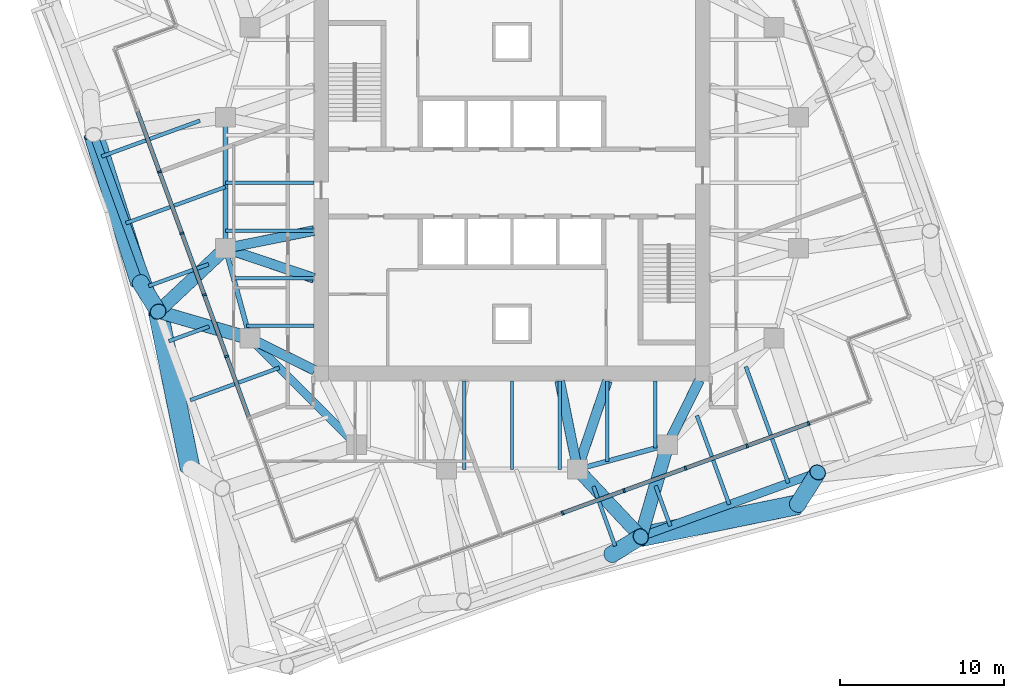
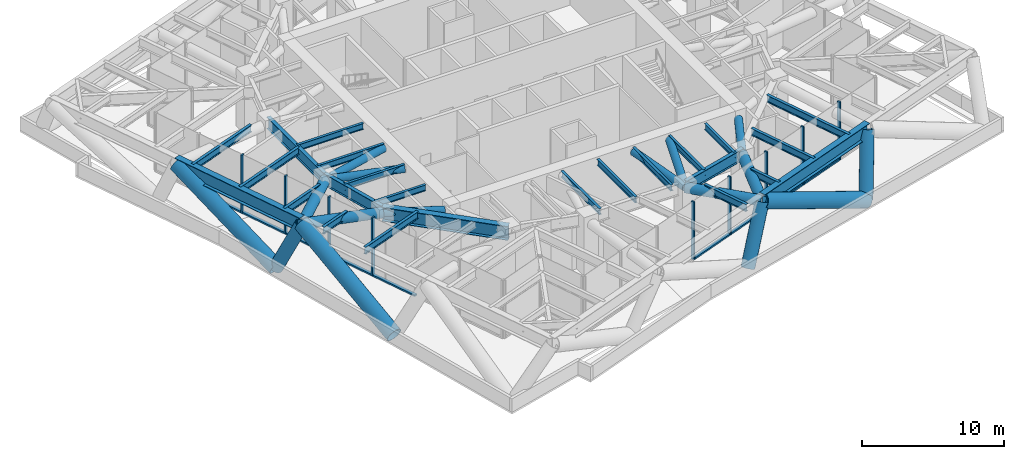
# One storey, part 2 of 12: 34 members, 24 beams, 2 elements without a shape of their own.
"""IFC4 building model written with IfcOpenShell, lengths in metres."""

from ifc_helpers import new_model, si_unit, direction, frame, origin, origin_2d, place, context, subcontext, project, spatial, rectangle, hollow_circle, i_section, extrude, material, material_profile, profile_set, type_object, element, aggregate, save


model = new_model("IFC4")

# Units and contexts
model_context = context("Model", 3, precision=1e-05, world=origin(), true_north=direction((0.0, 1.0)))
body_context = subcontext(model_context, "Body", "Model", "MODEL_VIEW")
ifc_project = project(units=[si_unit("LENGTHUNIT", "METRE"), si_unit("AREAUNIT", "SQUARE_METRE"), si_unit("VOLUMEUNIT", "CUBIC_METRE"), si_unit("PLANEANGLEUNIT", "RADIAN"), si_unit("MASSUNIT", "GRAM", prefix="KILO")], contexts=[model_context])

# Site, building, storey
site_placement = place(None, origin())
site = spatial("IfcSite", under=ifc_project, at=site_placement, CompositionType="ELEMENT")
building_placement = place(site_placement, origin())
building = spatial("IfcBuilding", under=site, at=building_placement, Name="Torsade Residences", CompositionType="ELEMENT")
storey_placement = place(building_placement, frame((0.0, 0.0, 138.800048828125)))
storey = spatial("IfcBuildingStorey", under=building, at=storey_placement, Name="L38", CompositionType="ELEMENT", Elevation=138.800048828125)

# Beams
ifc_material_1 = material(Name="Steel grade 300", Category="steel")
ifc_material_profile_1 = material_profile(ifc_material_1, i_section(OverallWidth=0.208984375, OverallDepth=0.528076171875, WebThickness=0.009521484375, FlangeThickness=0.01318359375, FilletRadius=0.013916015625, at=origin_2d()), Name="530UB82.0")
ifc_profile_set_1 = profile_set([ifc_material_profile_1], Name="Steel grade 300")
beam_type_1 = type_object("IfcBeamType", Name="INNER FLOOR BEAM 530UB82.0", PredefinedType="JOIST", material=ifc_profile_set_1)
beam_1_placement = place(storey_placement, frame((48.737548828125, 17.89990234375, 4.5859375), z_axis=(0.0, -1.0, 0.0), x_axis=(1.0, 0.0, 0.0)))
element("IfcBeam", 1, at=beam_1_placement, inside=storey, type_object=beam_type_1, Name="Inner floor beam IS01 L39", PredefinedType="JOIST", context=body_context, shape_type="SweptSolid", body=[
    extrude(i_section(OverallWidth=0.208984375, OverallDepth=0.528076171875, WebThickness=0.009521484375, FlangeThickness=0.01318359375, FilletRadius=0.013916015625, at=origin_2d()), origin(), (0.0, 0.0, 1.0), 4.10791015625),
])
beam_2_placement = place(storey_placement, frame((45.824951171875, 17.89990234375, 4.5859375), z_axis=(0.0, -1.0, 0.0), x_axis=(1.0, 0.0, 0.0)))
element("IfcBeam", 2, at=beam_2_placement, inside=storey, type_object=beam_type_1, Name="Inner floor beam IS02 L39", PredefinedType="JOIST", context=body_context, shape_type="SweptSolid", body=[
    extrude(i_section(OverallWidth=0.208984375, OverallDepth=0.528076171875, WebThickness=0.009521484375, FlangeThickness=0.01318359375, FilletRadius=0.013916015625, at=origin_2d()), origin(), (0.0, 0.0, 1.0), 4.902099609375),
])
for number, where, z_axis, x_axis, name in (
    (3, (42.91259765625, 17.89990234375, 4.5859375), (0.0, -1.0, 0.0), (1.0, 0.0, 0.0), "Inner floor beam IS03 L39"),
    (4, (40.0, 17.89990234375, 4.5859375), (0.0, -1.0, 0.0), (1.0, 0.0, 0.0), "Inner floor beam IS04 L39"),
    (5, (37.08740234375, 17.89990234375, 4.5859375), (0.0, -1.0, 0.0), (1.0, 0.0, 0.0), "Inner floor beam IS05 L39"),
    (6, (27.89990234375, 30.0, 4.5859375), (-1.0, 0.0, 0.0), (0.0, -1.0, 0.0), "Inner floor beam IW04 L39"),
    (7, (27.89990234375, 27.08740234375, 4.5859375), (-1.0, 0.0, 0.0), (0.0, -1.0, 0.0), "Inner floor beam IW05 L39"),
):
    element("IfcBeam", number, at=place(storey_placement, frame(where, z_axis=z_axis, x_axis=x_axis)), inside=storey, type_object=beam_type_1, Name=name, PredefinedType="JOIST", context=body_context, shape_type="SweptSolid", body=[
        extrude(i_section(OverallWidth=0.208984375, OverallDepth=0.528076171875, WebThickness=0.009521484375, FlangeThickness=0.01318359375, FilletRadius=0.013916015625, at=origin_2d()), origin(), (0.0, 0.0, 1.0), 5.39990234375),
    ])
beam_3_placement = place(storey_placement, frame((27.89990234375, 24.175048828125, 4.5859375), z_axis=(-1.0, 0.0, 0.0), x_axis=(0.0, -1.0, 0.0)))
element("IfcBeam", 8, at=beam_3_placement, inside=storey, type_object=beam_type_1, Name="Inner floor beam IW06 L39", PredefinedType="JOIST", context=body_context, shape_type="SweptSolid", body=[
    extrude(i_section(OverallWidth=0.208984375, OverallDepth=0.528076171875, WebThickness=0.009521484375, FlangeThickness=0.01318359375, FilletRadius=0.013916015625, at=origin_2d()), origin(), (0.0, 0.0, 1.0), 4.902099609375),
])
beam_4_placement = place(storey_placement, frame((27.89990234375, 21.262451171875, 4.5859375), z_axis=(-1.0, 0.0, 0.0), x_axis=(0.0, -1.0, 0.0)))
element("IfcBeam", 9, at=beam_4_placement, inside=storey, type_object=beam_type_1, Name="Inner floor beam IW07 L39", PredefinedType="JOIST", context=body_context, shape_type="SweptSolid", body=[
    extrude(i_section(OverallWidth=0.208984375, OverallDepth=0.528076171875, WebThickness=0.009521484375, FlangeThickness=0.01318359375, FilletRadius=0.013916015625, at=origin_2d()), origin(), (0.0, 0.0, 1.0), 4.10791015625),
])
ifc_material_2 = material(Name="Steel grade 300", Category="steel")
ifc_material_profile_2 = material_profile(ifc_material_2, i_section(OverallWidth=0.5, OverallDepth=1.199951171875, WebThickness=0.01611328125, FlangeThickness=0.0400390625, at=origin_2d()), Name="1200WB455")
ifc_profile_set_2 = profile_set([ifc_material_profile_2], Name="Steel grade 300")
beam_type_2 = type_object("IfcBeamType", Name="RING CORNER GIRDER 1200WB455", PredefinedType="BEAM", material=ifc_profile_set_2)
beam_5_placement = place(storey_placement, frame((24.0, 20.5, 4.25), z_axis=(0.707106781187, -0.707106781187, 0.0), x_axis=(0.707106781187, 0.707106781187, 0.0)))
element("IfcBeam", 10, at=beam_5_placement, inside=storey, type_object=beam_type_2, Name="Ring girder IR11 L39", PredefinedType="BEAM", context=body_context, shape_type="SweptSolid", body=[
    extrude(i_section(OverallWidth=0.5, OverallDepth=1.199951171875, WebThickness=0.01611328125, FlangeThickness=0.0400390625, at=origin_2d()), origin(), (0.0, 0.0, 1.0), 9.1923828125),
])
ifc_material_3 = material(Name="Steel grade 300", Category="steel")
ifc_material_profile_3 = material_profile(ifc_material_3, i_section(OverallWidth=0.300048828125, OverallDepth=1.0, WebThickness=0.01611328125, FlangeThickness=0.028076171875, at=origin_2d()), Name="1000WB215")
ifc_profile_set_3 = profile_set([ifc_material_profile_3], Name="Steel grade 300")
beam_type_3 = type_object("IfcBeamType", Name="RING GIRDER 1000WB215", PredefinedType="BEAM", material=ifc_profile_set_3)
beam_6_placement = place(storey_placement, frame((22.5, 34.0, 4.349853515625), z_axis=(0.0, -1.0, 0.0), x_axis=(1.0, 0.0, 0.0)))
element("IfcBeam", 11, at=beam_6_placement, inside=storey, type_object=beam_type_3, Name="Ring girder IR09 L39", PredefinedType="BEAM", context=body_context, shape_type="SweptSolid", body=[
    extrude(i_section(OverallWidth=0.300048828125, OverallDepth=1.0, WebThickness=0.01611328125, FlangeThickness=0.028076171875, at=origin_2d()), origin(), (0.0, 0.0, 1.0), 8.0),
])
for number, where, z_axis, x_axis, name in (
    (12, (22.5, 26.0, 4.349853515625), (0.263117405792, -0.964763821238, 0.0), (0.964763821238, 0.263117405792, 0.0), "Ring girder IR10 L39"),
    (13, (44.0, 12.5, 4.349853515625), (0.964763821238, 0.263117405792, 0.0), (-0.263117405792, 0.964763821238, 0.0), "Ring girder IR14 L39"),
):
    element("IfcBeam", number, at=place(storey_placement, frame(where, z_axis=z_axis, x_axis=x_axis)), inside=storey, type_object=beam_type_3, Name=name, PredefinedType="BEAM", context=body_context, shape_type="SweptSolid", body=[
        extrude(i_section(OverallWidth=0.300048828125, OverallDepth=1.0, WebThickness=0.01611328125, FlangeThickness=0.028076171875, at=origin_2d()), origin(), (0.0, 0.0, 1.0), 5.700927734375),
    ])
ifc_material_4 = material(Name="Steel grade 300", Category="steel")
ifc_material_profile_4 = material_profile(ifc_material_4, i_section(OverallWidth=0.22900390625, OverallDepth=0.612060546875, WebThickness=0.011962890625, FlangeThickness=0.01953125, FilletRadius=0.013916015625, at=origin_2d()), Name="610UB125")
ifc_profile_set_4 = profile_set([ifc_material_profile_4], Name="Steel grade 300")
beam_type_4 = type_object("IfcBeamType", Name="SECONDARY BEAM 610UB125", PredefinedType="JOIST", material=ifc_profile_set_4)
beam_7_placement = place(storey_placement, frame((46.30029296875, 7.817138671875, 4.5439453125), z_axis=(-0.341990430397, 0.939703434875, 0.0), x_axis=(-0.939703434875, -0.341990430397, 0.0)))
element("IfcBeam", 14, at=beam_7_placement, inside=storey, type_object=beam_type_4, Name="Floor beam FS06 L39", PredefinedType="JOIST", context=body_context, shape_type="SweptSolid", body=[
    extrude(i_section(OverallWidth=0.22900390625, OverallDepth=0.612060546875, WebThickness=0.011962890625, FlangeThickness=0.01953125, FilletRadius=0.013916015625, at=origin_2d()), origin(), (0.0, 0.0, 1.0), 3.8828125),
])
beam_8_placement = place(storey_placement, frame((49.66748046875, 9.042724609375, 4.5439453125), z_axis=(-0.342035282523, 0.93968711043, 0.0), x_axis=(-0.93968711043, -0.342035282523, 0.0)))
element("IfcBeam", 15, at=beam_8_placement, inside=storey, type_object=beam_type_4, Name="Floor beam FS07 L39", PredefinedType="JOIST", context=body_context, shape_type="SweptSolid", body=[
    extrude(i_section(OverallWidth=0.22900390625, OverallDepth=0.612060546875, WebThickness=0.011962890625, FlangeThickness=0.01953125, FilletRadius=0.013916015625, at=origin_2d()), origin(), (0.0, 0.0, 1.0), 2.615966796875),
])
beam_9_placement = place(storey_placement, frame((53.269775390625, 10.353759765625, 4.5439453125), z_axis=(-0.342034409239, 0.939687428295, 0.0), x_axis=(-0.939687428295, -0.342034409239, 0.0)))
element("IfcBeam", 16, at=beam_9_placement, inside=storey, type_object=beam_type_4, Name="Floor beam FS08 L39", PredefinedType="JOIST", context=body_context, shape_type="SweptSolid", body=[
    extrude(i_section(OverallWidth=0.22900390625, OverallDepth=0.612060546875, WebThickness=0.011962890625, FlangeThickness=0.01953125, FilletRadius=0.013916015625, at=origin_2d()), origin(), (0.0, 0.0, 1.0), 5.785888671875),
])
beam_10_placement = place(storey_placement, frame((56.871826171875, 11.664794921875, 4.5439453125), z_axis=(-0.342027762686, 0.939689847531, 0.0), x_axis=(-0.939689847531, -0.342027762686, 0.0)))
element("IfcBeam", 17, at=beam_10_placement, inside=storey, type_object=beam_type_4, Name="Floor beam FS09 L39", PredefinedType="JOIST", context=body_context, shape_type="SweptSolid", body=[
    extrude(i_section(OverallWidth=0.22900390625, OverallDepth=0.612060546875, WebThickness=0.011962890625, FlangeThickness=0.01953125, FilletRadius=0.013916015625, at=origin_2d()), origin(), (0.0, 0.0, 1.0), 7.573486328125),
])
beam_11_placement = place(storey_placement, frame((14.9384765625, 31.60888671875, 4.5439453125), z_axis=(0.939698605846, 0.342003699059, 0.0), x_axis=(-0.342003699059, 0.939698605846, 0.0)))
element("IfcBeam", 18, at=beam_11_placement, inside=storey, type_object=beam_type_4, Name="Floor beam FW04 L39", PredefinedType="JOIST", context=body_context, shape_type="SweptSolid", body=[
    extrude(i_section(OverallWidth=0.22900390625, OverallDepth=0.612060546875, WebThickness=0.011962890625, FlangeThickness=0.01953125, FilletRadius=0.013916015625, at=origin_2d()), origin(), (0.0, 0.0, 1.0), 6.392578125),
])
beam_12_placement = place(storey_placement, frame((16.42041015625, 27.536865234375, 4.5439453125), z_axis=(0.939699737026, 0.342000590983, 0.0), x_axis=(-0.342000590983, 0.939699737026, 0.0)))
element("IfcBeam", 19, at=beam_12_placement, inside=storey, type_object=beam_type_4, Name="Floor beam FW05 L39", PredefinedType="JOIST", context=body_context, shape_type="SweptSolid", body=[
    extrude(i_section(OverallWidth=0.22900390625, OverallDepth=0.612060546875, WebThickness=0.011962890625, FlangeThickness=0.01953125, FilletRadius=0.013916015625, at=origin_2d()), origin(), (0.0, 0.0, 1.0), 6.4697265625),
])
beam_13_placement = place(storey_placement, frame((17.817138671875, 23.69970703125, 4.5439453125), z_axis=(0.939703434875, 0.341990430397, 0.0), x_axis=(-0.341990430397, 0.939703434875, 0.0)))
element("IfcBeam", 20, at=beam_13_placement, inside=storey, type_object=beam_type_4, Name="Floor beam FW06 L39", PredefinedType="JOIST", context=body_context, shape_type="SweptSolid", body=[
    extrude(i_section(OverallWidth=0.22900390625, OverallDepth=0.612060546875, WebThickness=0.011962890625, FlangeThickness=0.01953125, FilletRadius=0.013916015625, at=origin_2d()), origin(), (0.0, 0.0, 1.0), 3.8828125),
])
beam_14_placement = place(storey_placement, frame((19.042724609375, 20.33251953125, 4.5439453125), z_axis=(0.93968711043, 0.342035282523, 0.0), x_axis=(-0.342035282523, 0.93968711043, 0.0)))
element("IfcBeam", 21, at=beam_14_placement, inside=storey, type_object=beam_type_4, Name="Floor beam FW07 L39", PredefinedType="JOIST", context=body_context, shape_type="SweptSolid", body=[
    extrude(i_section(OverallWidth=0.22900390625, OverallDepth=0.612060546875, WebThickness=0.011962890625, FlangeThickness=0.01953125, FilletRadius=0.013916015625, at=origin_2d()), origin(), (0.0, 0.0, 1.0), 2.615966796875),
])
beam_15_placement = place(storey_placement, frame((20.353759765625, 16.730224609375, 4.5439453125), z_axis=(0.939687428295, 0.342034409239, 0.0), x_axis=(-0.342034409239, 0.939687428295, 0.0)))
element("IfcBeam", 22, at=beam_15_placement, inside=storey, type_object=beam_type_4, Name="Floor beam FW08 L39", PredefinedType="JOIST", context=body_context, shape_type="SweptSolid", body=[
    extrude(i_section(OverallWidth=0.22900390625, OverallDepth=0.612060546875, WebThickness=0.011962890625, FlangeThickness=0.01953125, FilletRadius=0.013916015625, at=origin_2d()), origin(), (0.0, 0.0, 1.0), 5.785888671875),
])

# Curtain wall, members
ifc_material_5 = material(Name="Aluminium and glass", Category="aluminium")
curtain_wall_type = type_object("IfcCurtainWallType", Name="SKY LOUNGE CURTAIN WALL", PredefinedType="NOTDEFINED", material=ifc_material_5)
curtain_wall_1_placement = place(storey_placement, origin())
curtain_wall_1 = element("IfcCurtainWall", 23, at=curtain_wall_1_placement, inside=storey, type_object=curtain_wall_type, Name="Curtain wall L38 face 1", PredefinedType="NOTDEFINED")
ifc_material_6 = material(Name="Aluminium mullion", Category="aluminium")
ifc_material_profile_5 = material_profile(ifc_material_6, rectangle(XDim=0.25, YDim=0.1201171875, at=origin_2d()), Name="SKY LOUNGE CURTAIN WALL MULLION 250x120")
ifc_profile_set_5 = profile_set([ifc_material_profile_5], Name="Aluminium mullion")
member_type_1 = type_object("IfcMemberType", Name="SKY LOUNGE CURTAIN WALL MULLION 250x120", PredefinedType="MULLION", material=ifc_profile_set_5)
member_1_placement = place(storey_placement, frame((43.08154296875, 9.838134765625, 0.0), z_axis=(0.0, 0.0, 1.0), x_axis=(-0.342020153379, 0.939692617127, 0.0)))
member_1 = element("IfcMember", 24, at=member_1_placement, type_object=member_type_1, Name="Mullion 4", PredefinedType="MULLION", context=body_context, shape_type="SweptSolid", body=[
    extrude(rectangle(XDim=0.25, YDim=0.1201171875, at=origin_2d()), origin(), (0.0, 0.0, 1.0), 5.0),
])
member_2_placement = place(storey_placement, frame((46.84033203125, 11.2060546875, 0.0), z_axis=(0.0, 0.0, 1.0), x_axis=(-0.342020153379, 0.939692617127, 0.0)))
member_2 = element("IfcMember", 25, at=member_2_placement, type_object=member_type_1, Name="Mullion 5", PredefinedType="MULLION", context=body_context, shape_type="SweptSolid", body=[
    extrude(rectangle(XDim=0.25, YDim=0.1201171875, at=origin_2d()), origin(), (0.0, 0.0, 1.0), 5.0),
])
member_3_placement = place(storey_placement, frame((50.59912109375, 12.57421875, 0.0), z_axis=(0.0, 0.0, 1.0), x_axis=(-0.342020153379, 0.939692617127, 0.0)))
member_3 = element("IfcMember", 26, at=member_3_placement, type_object=member_type_1, Name="Mullion 6", PredefinedType="MULLION", context=body_context, shape_type="SweptSolid", body=[
    extrude(rectangle(XDim=0.25, YDim=0.1201171875, at=origin_2d()), origin(), (0.0, 0.0, 1.0), 5.0),
])
member_4_placement = place(storey_placement, frame((54.35791015625, 13.9423828125, 0.0), z_axis=(0.0, 0.0, 1.0), x_axis=(-0.342020153379, 0.939692617127, 0.0)))
member_4 = element("IfcMember", 27, at=member_4_placement, type_object=member_type_1, Name="Mullion 7", PredefinedType="MULLION", context=body_context, shape_type="SweptSolid", body=[
    extrude(rectangle(XDim=0.25, YDim=0.1201171875, at=origin_2d()), origin(), (0.0, 0.0, 1.0), 5.0),
])
member_5_placement = place(storey_placement, frame((58.11669921875, 15.310302734375, 0.0), z_axis=(0.0, 0.0, 1.0), x_axis=(-0.342020153379, 0.939692617127, 0.0)))
member_5 = element("IfcMember", 28, at=member_5_placement, type_object=member_type_1, Name="Mullion 8", PredefinedType="MULLION", context=body_context, shape_type="SweptSolid", body=[
    extrude(rectangle(XDim=0.25, YDim=0.1201171875, at=origin_2d()), origin(), (0.0, 0.0, 1.0), 5.0),
])

curtain_wall_2_placement = place(storey_placement, origin())
curtain_wall_2 = element("IfcCurtainWall", 29, at=curtain_wall_2_placement, inside=storey, type_object=curtain_wall_type, Name="Curtain wall L38 face 10", PredefinedType="NOTDEFINED")
member_6_placement = place(storey_placement, frame((18.469970703125, 30.67724609375, 0.0), z_axis=(0.0, 0.0, 1.0), x_axis=(0.939692617127, 0.342020153379, 0.0)))
member_6 = element("IfcMember", 30, at=member_6_placement, type_object=member_type_1, Name="Mullion 3", PredefinedType="MULLION", context=body_context, shape_type="SweptSolid", body=[
    extrude(rectangle(XDim=0.25, YDim=0.1201171875, at=origin_2d()), origin(), (0.0, 0.0, 1.0), 5.0),
])
member_7_placement = place(storey_placement, frame((19.838134765625, 26.91845703125, 0.0), z_axis=(0.0, 0.0, 1.0), x_axis=(0.939692617127, 0.342020153379, 0.0)))
member_7 = element("IfcMember", 31, at=member_7_placement, type_object=member_type_1, Name="Mullion 4", PredefinedType="MULLION", context=body_context, shape_type="SweptSolid", body=[
    extrude(rectangle(XDim=0.25, YDim=0.1201171875, at=origin_2d()), origin(), (0.0, 0.0, 1.0), 5.0),
])
member_8_placement = place(storey_placement, frame((21.2060546875, 23.15966796875, 0.0), z_axis=(0.0, 0.0, 1.0), x_axis=(0.939692617127, 0.342020153379, 0.0)))
member_8 = element("IfcMember", 32, at=member_8_placement, type_object=member_type_1, Name="Mullion 5", PredefinedType="MULLION", context=body_context, shape_type="SweptSolid", body=[
    extrude(rectangle(XDim=0.25, YDim=0.1201171875, at=origin_2d()), origin(), (0.0, 0.0, 1.0), 5.0),
])
member_9_placement = place(storey_placement, frame((22.57421875, 19.40087890625, 0.0), z_axis=(0.0, 0.0, 1.0), x_axis=(0.939692617127, 0.342020153379, 0.0)))
member_9 = element("IfcMember", 33, at=member_9_placement, type_object=member_type_1, Name="Mullion 6", PredefinedType="MULLION", context=body_context, shape_type="SweptSolid", body=[
    extrude(rectangle(XDim=0.25, YDim=0.1201171875, at=origin_2d()), origin(), (0.0, 0.0, 1.0), 5.0),
])

# Member
ifc_material_7 = material(Name="Aluminium transom", Category="aluminium")
ifc_material_profile_6 = material_profile(ifc_material_7, rectangle(XDim=0.25, YDim=0.1298828125, at=origin_2d()), Name="SKY LOUNGE CURTAIN WALL TRANSOM 250x130")
ifc_profile_set_6 = profile_set([ifc_material_profile_6], Name="Aluminium transom")
member_type_2 = type_object("IfcMemberType", Name="SKY LOUNGE CURTAIN WALL TRANSOM 250x130", PredefinedType="USERDEFINED", material=ifc_profile_set_6)
member_10_placement = place(storey_placement, frame((43.137939453125, 9.858642578125, 0.06494140625), z_axis=(0.939703368574, 0.341990612575, 0.0), x_axis=(-0.341990612575, 0.939703368574, 0.0)))
member_10 = element("IfcMember", 34, at=member_10_placement, type_object=member_type_2, Name="Transom 4.1", ObjectType="TRANSOM", PredefinedType="USERDEFINED", context=body_context, shape_type="SweptSolid", body=[
    extrude(rectangle(XDim=0.25, YDim=0.1298828125, at=origin_2d()), origin(), (0.0, 0.0, 1.0), 3.8798828125),
])

member_11_placement = place(storey_placement, frame((46.896728515625, 11.2265625, 0.06494140625), z_axis=(0.939683145577, 0.342046175128, 0.0), x_axis=(-0.342046175128, 0.939683145577, 0.0)))
member_11 = element("IfcMember", 35, at=member_11_placement, type_object=member_type_2, Name="Transom 5.1", ObjectType="TRANSOM", PredefinedType="USERDEFINED", context=body_context, shape_type="SweptSolid", body=[
    extrude(rectangle(XDim=0.25, YDim=0.1298828125, at=origin_2d()), origin(), (0.0, 0.0, 1.0), 3.880126953125),
])

member_12_placement = place(storey_placement, frame((50.655517578125, 12.5947265625, 0.06494140625), z_axis=(0.939683145577, 0.342046175128, 0.0), x_axis=(-0.342046175128, 0.939683145577, 0.0)))
member_12 = element("IfcMember", 36, at=member_12_placement, type_object=member_type_2, Name="Transom 6.1", ObjectType="TRANSOM", PredefinedType="USERDEFINED", context=body_context, shape_type="SweptSolid", body=[
    extrude(rectangle(XDim=0.25, YDim=0.1298828125, at=origin_2d()), origin(), (0.0, 0.0, 1.0), 3.880126953125),
])

member_13_placement = place(storey_placement, frame((54.414306640625, 13.962890625, 0.06494140625), z_axis=(0.939703368574, 0.341990612575, 0.0), x_axis=(-0.341990612575, 0.939703368574, 0.0)))
member_13 = element("IfcMember", 37, at=member_13_placement, type_object=member_type_2, Name="Transom 7.1", ObjectType="TRANSOM", PredefinedType="USERDEFINED", context=body_context, shape_type="SweptSolid", body=[
    extrude(rectangle(XDim=0.25, YDim=0.1298828125, at=origin_2d()), origin(), (0.0, 0.0, 1.0), 3.8798828125),
])

aggregate(curtain_wall_1, [member_1, member_2, member_3, member_4, member_5, member_10, member_11, member_12, member_13])

member_14_placement = place(storey_placement, frame((17.122314453125, 34.379638671875, 0.06494140625), z_axis=(0.342025952039, -0.939690506567, 0.0), x_axis=(0.939690506567, 0.342025952039, 0.0)))
member_14 = element("IfcMember", 38, at=member_14_placement, type_object=member_type_2, Name="Transom 2.1", ObjectType="TRANSOM", PredefinedType="USERDEFINED", context=body_context, shape_type="SweptSolid", body=[
    extrude(rectangle(XDim=0.25, YDim=0.1298828125, at=origin_2d()), origin(), (0.0, 0.0, 1.0), 3.88037109375),
])

member_15_placement = place(storey_placement, frame((18.490478515625, 30.620849609375, 0.06494140625), z_axis=(0.342046175128, -0.939683145577, 0.0), x_axis=(0.939683145577, 0.342046175128, 0.0)))
member_15 = element("IfcMember", 39, at=member_15_placement, type_object=member_type_2, Name="Transom 3.1", ObjectType="TRANSOM", PredefinedType="USERDEFINED", context=body_context, shape_type="SweptSolid", body=[
    extrude(rectangle(XDim=0.25, YDim=0.1298828125, at=origin_2d()), origin(), (0.0, 0.0, 1.0), 3.880126953125),
])

member_16_placement = place(storey_placement, frame((19.858642578125, 26.862060546875, 0.06494140625), z_axis=(0.341990612575, -0.939703368574, 0.0), x_axis=(0.939703368574, 0.341990612575, 0.0)))
member_16 = element("IfcMember", 40, at=member_16_placement, type_object=member_type_2, Name="Transom 4.1", ObjectType="TRANSOM", PredefinedType="USERDEFINED", context=body_context, shape_type="SweptSolid", body=[
    extrude(rectangle(XDim=0.25, YDim=0.1298828125, at=origin_2d()), origin(), (0.0, 0.0, 1.0), 3.8798828125),
])

member_17_placement = place(storey_placement, frame((21.2265625, 23.103271484375, 0.06494140625), z_axis=(0.342046175128, -0.939683145577, 0.0), x_axis=(0.939683145577, 0.342046175128, 0.0)))
member_17 = element("IfcMember", 41, at=member_17_placement, type_object=member_type_2, Name="Transom 5.1", ObjectType="TRANSOM", PredefinedType="USERDEFINED", context=body_context, shape_type="SweptSolid", body=[
    extrude(rectangle(XDim=0.25, YDim=0.1298828125, at=origin_2d()), origin(), (0.0, 0.0, 1.0), 3.880126953125),
])

member_18_placement = place(storey_placement, frame((22.5947265625, 19.344482421875, 0.06494140625), z_axis=(0.342046175128, -0.939683145577, 0.0), x_axis=(0.939683145577, 0.342046175128, 0.0)))
member_18 = element("IfcMember", 42, at=member_18_placement, type_object=member_type_2, Name="Transom 6.1", ObjectType="TRANSOM", PredefinedType="USERDEFINED", context=body_context, shape_type="SweptSolid", body=[
    extrude(rectangle(XDim=0.25, YDim=0.1298828125, at=origin_2d()), origin(), (0.0, 0.0, 1.0), 3.880126953125),
])

aggregate(curtain_wall_2, [member_6, member_7, member_8, member_9, member_14, member_15, member_16, member_17, member_18])

# Members
ifc_material_8 = material(Name="Steel grade 450", Category="steel")
ifc_material_profile_7 = material_profile(ifc_material_8, hollow_circle(Radius=0.304931640625, WallThickness=0.01611328125, at=origin_2d()), Name="610.0x16.0CHS")
ifc_profile_set_7 = profile_set([ifc_material_profile_7], Name="Steel grade 450")
member_type_3 = type_object("IfcMemberType", Name="TRANSFER FLOOR BRACE 610.0x16.0CHS", PredefinedType="BRACE", material=ifc_profile_set_7)
member_19_placement = place(storey_placement, frame((22.5, 26.0, 4.25), z_axis=(0.97976207845, 0.197299045909, 0.03375434957), x_axis=(-0.197411538983, 0.980320704809, 0.0)))
element("IfcMember", 43, at=member_19_placement, inside=storey, type_object=member_type_3, Name="Transfer floor brace TT4 top IR10IW05", PredefinedType="BRACE", context=body_context, shape_type="SweptSolid", body=[
    extrude(hollow_circle(Radius=0.304931640625, WallThickness=0.01611328125, at=origin_2d()), origin(), (0.0, 0.0, 1.0), 5.511474609375),
])
member_20_placement = place(storey_placement, frame((22.5, 26.0, 4.25), z_axis=(0.946855969774, -0.319999474368, 0.032620682203), x_axis=(0.320169867513, 0.947360151124, 0.0)))
element("IfcMember", 44, at=member_20_placement, inside=storey, type_object=member_type_3, Name="Transfer floor brace TT4 top IR10IW06", PredefinedType="BRACE", context=body_context, shape_type="SweptSolid", body=[
    extrude(hollow_circle(Radius=0.304931640625, WallThickness=0.01611328125, at=origin_2d()), origin(), (0.0, 0.0, 1.0), 5.702880859375),
])
member_21_placement = place(storey_placement, frame((24.0, 20.5, 4.25), z_axis=(0.896469701914, -0.443105036702, 0.0), x_axis=(0.443105036702, 0.896469701914, 0.0)))
element("IfcMember", 45, at=member_21_placement, inside=storey, type_object=member_type_3, Name="Transfer floor brace TT4 top IR11C", PredefinedType="BRACE", context=body_context, shape_type="SweptSolid", body=[
    extrude(hollow_circle(Radius=0.304931640625, WallThickness=0.01611328125, at=origin_2d()), origin(), (0.0, 0.0, 1.0), 4.40234375),
])
member_22_placement = place(storey_placement, frame((44.0, 12.5, 4.25), z_axis=(-0.197299045909, 0.97976207845, 0.03375434957), x_axis=(-0.980320704809, -0.197411538983, 0.0)))
element("IfcMember", 46, at=member_22_placement, inside=storey, type_object=member_type_3, Name="Transfer floor brace TT4 top IR14IS03", PredefinedType="BRACE", context=body_context, shape_type="SweptSolid", body=[
    extrude(hollow_circle(Radius=0.304931640625, WallThickness=0.01611328125, at=origin_2d()), origin(), (0.0, 0.0, 1.0), 5.511474609375),
])
member_23_placement = place(storey_placement, frame((44.0, 12.5, 4.25), z_axis=(0.319999474368, 0.946855969774, 0.032620682203), x_axis=(-0.947360151124, 0.320169867513, 0.0)))
element("IfcMember", 47, at=member_23_placement, inside=storey, type_object=member_type_3, Name="Transfer floor brace TT4 top IR14IS02", PredefinedType="BRACE", context=body_context, shape_type="SweptSolid", body=[
    extrude(hollow_circle(Radius=0.304931640625, WallThickness=0.01611328125, at=origin_2d()), origin(), (0.0, 0.0, 1.0), 5.702880859375),
])
member_24_placement = place(storey_placement, frame((49.5, 14.0, 4.25), z_axis=(0.443105036702, 0.896469701914, 0.0), x_axis=(-0.896469701914, 0.443105036702, 0.0)))
element("IfcMember", 48, at=member_24_placement, inside=storey, type_object=member_type_3, Name="Transfer floor brace TT4 top IR15C", PredefinedType="BRACE", context=body_context, shape_type="SweptSolid", body=[
    extrude(hollow_circle(Radius=0.304931640625, WallThickness=0.01611328125, at=origin_2d()), origin(), (0.0, 0.0, 1.0), 4.40234375),
])
ifc_material_9 = material(Name="Steel grade 450", Category="steel")
ifc_material_profile_8 = material_profile(ifc_material_9, hollow_circle(Radius=0.406494140625, WallThickness=0.02490234375, at=origin_2d()), Name="813.0x25.0CHS")
ifc_profile_set_8 = profile_set([ifc_material_profile_8], Name="Steel grade 450")
member_type_4 = type_object("IfcMemberType", Name="TRANSFER FLOOR STRUT 813.0x25.0CHS", PredefinedType="STRUT", material=ifc_profile_set_8)
member_25_placement = place(storey_placement, frame((47.866455078125, 8.386962890625, 4.25), z_axis=(-0.684928836258, 0.728609970603, 0.0), x_axis=(-0.728609970603, -0.684928836258, 0.0)))
element("IfcMember", 49, at=member_25_placement, inside=storey, type_object=member_type_4, Name="Transfer floor strut TT4 top 03IR14", PredefinedType="STRUT", context=body_context, shape_type="SweptSolid", body=[
    extrude(hollow_circle(Radius=0.406494140625, WallThickness=0.02490234375, at=origin_2d()), origin(), (0.0, 0.0, 1.0), 5.64501953125),
])
member_26_placement = place(storey_placement, frame((47.866455078125, 8.386962890625, 4.25), z_axis=(0.279433850327, 0.960164945877, 0.0), x_axis=(-0.960164945877, 0.279433850327, 0.0)))
element("IfcMember", 50, at=member_26_placement, inside=storey, type_object=member_type_4, Name="Transfer floor strut TT4 top 03IR15", PredefinedType="STRUT", context=body_context, shape_type="SweptSolid", body=[
    extrude(hollow_circle(Radius=0.406494140625, WallThickness=0.02490234375, at=origin_2d()), origin(), (0.0, 0.0, 1.0), 5.845947265625),
])
member_27_placement = place(storey_placement, frame((18.386962890625, 22.133544921875, 4.25), z_axis=(0.728609970603, 0.684928836258, 0.0), x_axis=(-0.684928836258, 0.728609970603, 0.0)))
element("IfcMember", 51, at=member_27_placement, inside=storey, type_object=member_type_4, Name="Transfer floor strut TT4 top 15IR10", PredefinedType="STRUT", context=body_context, shape_type="SweptSolid", body=[
    extrude(hollow_circle(Radius=0.406494140625, WallThickness=0.02490234375, at=origin_2d()), origin(), (0.0, 0.0, 1.0), 5.64501953125),
])
member_28_placement = place(storey_placement, frame((18.386962890625, 22.133544921875, 4.25), z_axis=(0.960164945877, -0.279433850327, 0.0), x_axis=(0.279433850327, 0.960164945877, 0.0)))
element("IfcMember", 52, at=member_28_placement, inside=storey, type_object=member_type_4, Name="Transfer floor strut TT4 top 15IR11", PredefinedType="STRUT", context=body_context, shape_type="SweptSolid", body=[
    extrude(hollow_circle(Radius=0.406494140625, WallThickness=0.02490234375, at=origin_2d()), origin(), (0.0, 0.0, 1.0), 5.845947265625),
])

# Beams
ifc_material_10 = material(Name="Steel grade 300", Category="steel")
ifc_material_profile_9 = material_profile(ifc_material_10, i_section(OverallWidth=0.5, OverallDepth=1.199951171875, WebThickness=0.01611328125, FlangeThickness=0.0400390625, at=origin_2d()), Name="1200WB455")
ifc_profile_set_9 = profile_set([ifc_material_profile_9], Name="Steel grade 300")
beam_type_5 = type_object("IfcBeamType", Name="TRANSFER TRUSS CHORD 1200WB455", PredefinedType="USERDEFINED", material=ifc_profile_set_9)
for number, where, z_axis, x_axis, name in (
    (53, (47.866455078125, 8.386962890625, 4.25), (0.939688625666, 0.342031119628, 0.0), (-0.342031119628, 0.939688625666, 0.0), "Transfer truss TT4 top chord 03"),
    (54, (14.453857421875, 32.93994140625, 4.25), (0.342012373318, -0.939695448801, 0.0), (0.939695448801, 0.342012373318, 0.0), "Transfer truss TT4 top chord 14"),
):
    element("IfcBeam", number, at=place(storey_placement, frame(where, z_axis=z_axis, x_axis=x_axis)), inside=storey, type_object=beam_type_5, Name=name, ObjectType="TRANSFER TRUSS CHORD", PredefinedType="USERDEFINED", context=body_context, shape_type="SweptSolid", body=[
        extrude(i_section(OverallWidth=0.5, OverallDepth=1.199951171875, WebThickness=0.01611328125, FlangeThickness=0.0400390625, at=origin_2d()), origin(), (0.0, 0.0, 1.0), 11.5),
    ])

# Members
ifc_material_11 = material(Name="Steel grade 450", Category="steel")
ifc_material_profile_10 = material_profile(ifc_material_11, hollow_circle(Radius=0.609619140625, WallThickness=0.0400390625, at=origin_2d()), Name="1219.0x40.0CHS")
ifc_profile_set_10 = profile_set([ifc_material_profile_10], Name="Steel grade 450")
member_type_5 = type_object("IfcMemberType", Name="TRANSFER TRUSS DIAGONAL 1219.0x40.0CHS", PredefinedType="BRACE", material=ifc_profile_set_10)
member_29_placement = place(storey_placement, frame((57.431884765625, 10.341796875, -0.199951171875), z_axis=(-0.891512467797, -0.182193474468, 0.414742158002), x_axis=(0.200226036049, -0.979749730537, 0.0)))
element("IfcMember", 55, at=member_29_placement, inside=storey, type_object=member_type_5, Name="Transfer truss TT4 diagonal 03", PredefinedType="BRACE", context=body_context, shape_type="SweptSolid", body=[
    extrude(hollow_circle(Radius=0.609619140625, WallThickness=0.0400390625, at=origin_2d()), origin(), (0.0, 0.0, 1.0), 10.7294921875),
])
member_30_placement = place(storey_placement, frame((17.30078125, 23.917724609375, -0.199951171875), z_axis=(-0.272302101143, 0.862955505338, 0.425628196341), x_axis=(-0.953649333535, -0.300920169892, 0.0)))
element("IfcMember", 56, at=member_30_placement, inside=storey, type_object=member_type_5, Name="Transfer truss TT4 diagonal 14", PredefinedType="BRACE", context=body_context, shape_type="SweptSolid", body=[
    extrude(hollow_circle(Radius=0.609619140625, WallThickness=0.0400390625, at=origin_2d()), origin(), (0.0, 0.0, 1.0), 10.455078125),
])
member_31_placement = place(storey_placement, frame((20.341796875, 12.568115234375, -0.199951171875), z_axis=(-0.182193474468, 0.891512467797, 0.414742158002), x_axis=(-0.979749730537, -0.200226036049, 0.0)))
element("IfcMember", 57, at=member_31_placement, inside=storey, type_object=member_type_5, Name="Transfer truss TT4 diagonal 15", PredefinedType="BRACE", context=body_context, shape_type="SweptSolid", body=[
    extrude(hollow_circle(Radius=0.609619140625, WallThickness=0.0400390625, at=origin_2d()), origin(), (0.0, 0.0, 1.0), 10.7294921875),
])
ifc_material_12 = material(Name="Steel grade 450", Category="steel")
ifc_material_profile_11 = material_profile(ifc_material_12, hollow_circle(Radius=0.508056640625, WallThickness=0.031982421875, at=origin_2d()), Name="1016.0x32.0CHS")
ifc_profile_set_11 = profile_set([ifc_material_profile_11], Name="Steel grade 450")
member_type_6 = type_object("IfcMemberType", Name="TRANSFER TRUSS RAKING STRUT 1016.0x32.0CHS", PredefinedType="STRUT", material=ifc_profile_set_11)
member_32_placement = place(storey_placement, frame((46.082275390625, 7.30078125, -0.199951171875), z_axis=(0.362947504596, 0.220956957847, 0.905233191883), x_axis=(-0.520002564921, 0.854164698683, 0.0)))
element("IfcMember", 58, at=member_32_placement, inside=storey, type_object=member_type_6, Name="Transfer truss TT4 raking strut 03", PredefinedType="STRUT", context=body_context, shape_type="SweptSolid", body=[
    extrude(hollow_circle(Radius=0.508056640625, WallThickness=0.031982421875, at=origin_2d()), origin(), (0.0, 0.0, 1.0), 4.915771484375),
])
member_33_placement = place(storey_placement, frame((57.431884765625, 10.341796875, -0.199951171875), z_axis=(0.24692941126, 0.393687969477, 0.885457875081), x_axis=(-0.84715154819, 0.531351347415, 0.0)))
element("IfcMember", 59, at=member_33_placement, inside=storey, type_object=member_type_6, Name="Transfer truss TT4 raking strut 04", PredefinedType="STRUT", context=body_context, shape_type="SweptSolid", body=[
    extrude(hollow_circle(Radius=0.508056640625, WallThickness=0.031982421875, at=origin_2d()), origin(), (0.0, 0.0, 1.0), 5.025634765625),
])
member_34_placement = place(storey_placement, frame((17.30078125, 23.917724609375, -0.199951171875), z_axis=(0.220956957847, -0.362947504596, 0.905233191883), x_axis=(0.854164698683, 0.520002564921, 0.0)))
element("IfcMember", 60, at=member_34_placement, inside=storey, type_object=member_type_6, Name="Transfer truss TT4 raking strut 15", PredefinedType="STRUT", context=body_context, shape_type="SweptSolid", body=[
    extrude(hollow_circle(Radius=0.508056640625, WallThickness=0.031982421875, at=origin_2d()), origin(), (0.0, 0.0, 1.0), 4.915771484375),
])

save(model, "model.ifc")
